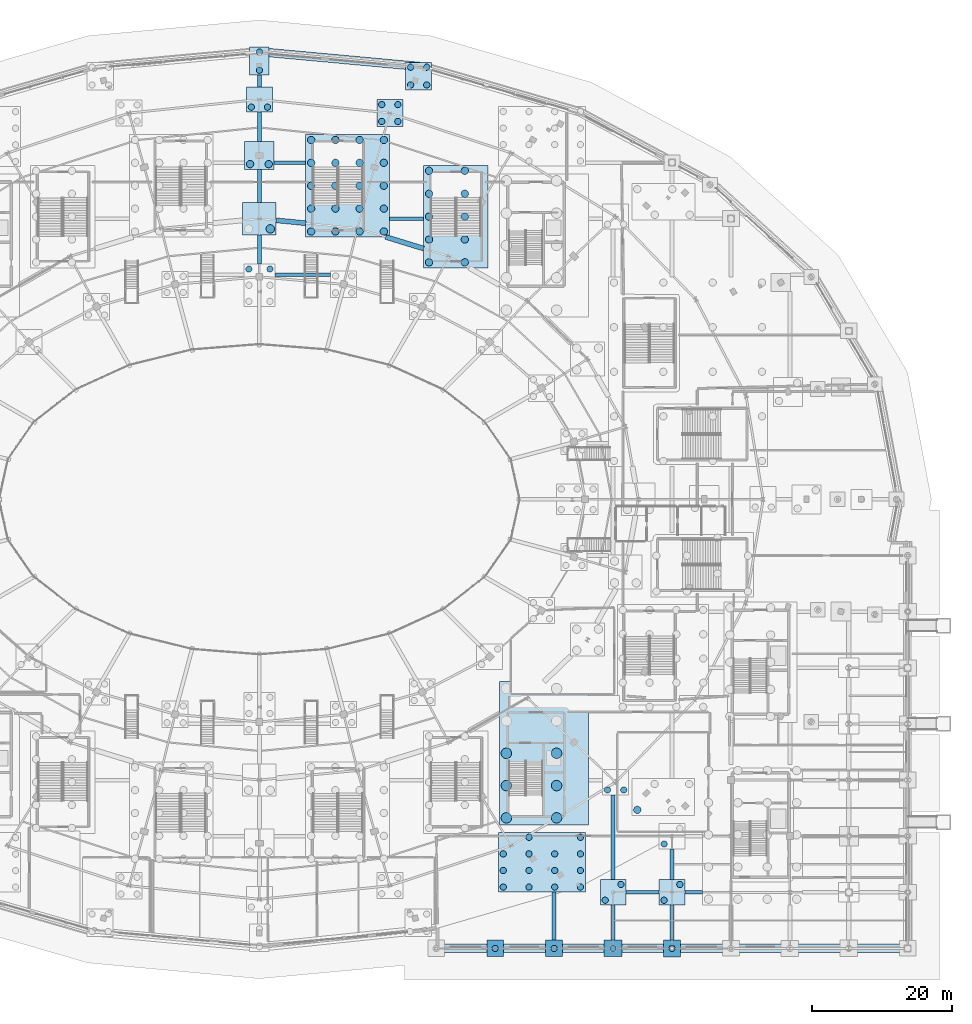
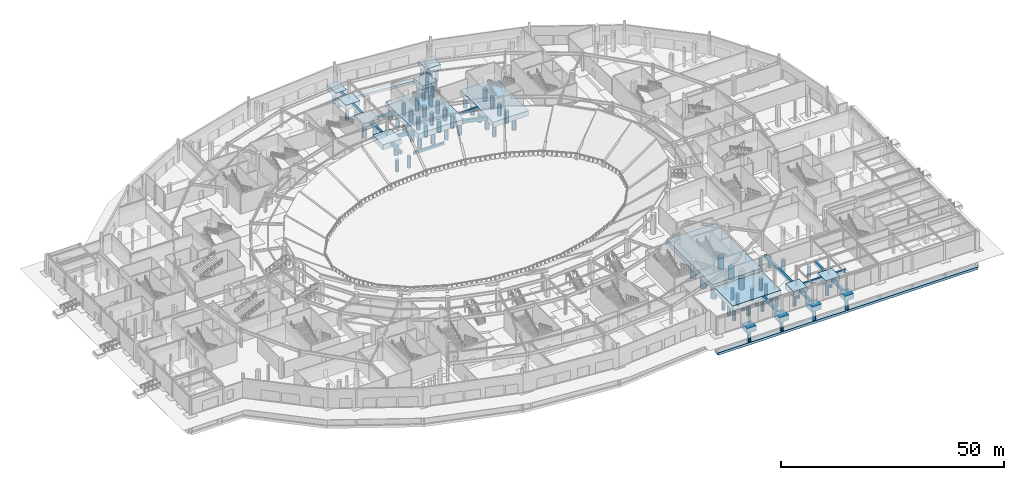
# One storey, part 5 of 93: 79 piles, 34 footings.
"""IFC4 building model written with IfcOpenShell, lengths in metres."""

from ifc_helpers import new_model, si_unit, direction, frame, origin, origin_2d, place, context, subcontext, project, spatial, polyline, rectangle, circle, outline, extrude, material, material_profile, profile_set, type_object, element, save


model = new_model("IFC4")

# Units and contexts
model_context = context("Model", 3, precision=1e-05, world=origin(), true_north=direction((0.0, 1.0)))
body_context = subcontext(model_context, "Body", "Model", "MODEL_VIEW")
ifc_project = project(units=[si_unit("LENGTHUNIT", "METRE"), si_unit("AREAUNIT", "SQUARE_METRE"), si_unit("VOLUMEUNIT", "CUBIC_METRE"), si_unit("PLANEANGLEUNIT", "RADIAN"), si_unit("MASSUNIT", "GRAM", prefix="KILO")], contexts=[model_context])

# Site, building, storey
site_placement = place(None, origin())
site = spatial("IfcSite", under=ifc_project, at=site_placement, CompositionType="ELEMENT")
building_placement = place(site_placement, origin())
building = spatial("IfcBuilding", under=site, at=building_placement, Name="Kalgoora Escarpment Arena", CompositionType="ELEMENT")
storey_placement = place(building_placement, origin())
storey = spatial("IfcBuildingStorey", under=building, at=storey_placement, Name="L00", CompositionType="ELEMENT", Elevation=0.0)

# Footings
ifc_material_1 = material(Name="Concrete N40 (fc' 40 MPa)", Category="concrete")
ifc_material_profile_1 = material_profile(ifc_material_1, rectangle(XDim=0.5, YDim=0.699951171875, at=origin_2d()))
ifc_profile_set_1 = profile_set([ifc_material_profile_1], Name="Concrete N40 (fc' 40 MPa)")
footing_type_1 = type_object("IfcFootingType", Name="FTG-GB700x500", PredefinedType="FOOTING_BEAM", material=ifc_profile_set_1)
footing_1_placement = place(storey_placement, frame((144.6201171875, 8.0, -0.35009765625), z_axis=(1.0, 0.0, 0.0), x_axis=(0.0, 1.0, 0.0)))
element("IfcFooting", 1, at=footing_1_placement, inside=storey, type_object=footing_type_1, Name="Ground tie beam GB-068", PredefinedType="FOOTING_BEAM", context=body_context, shape_type="SweptSolid", body=[
    extrude(rectangle(XDim=0.5, YDim=0.699951171875, at=origin_2d()), origin(), (0.0, 0.0, 1.0), 4.759765625),
])
footing_2_placement = place(storey_placement, frame((153.02001953125, 8.0, -0.35009765625), z_axis=(1.0, 0.0, 0.0), x_axis=(0.0, 1.0, 0.0)))
element("IfcFooting", 2, at=footing_2_placement, inside=storey, type_object=footing_type_1, Name="Ground tie beam GB-069", PredefinedType="FOOTING_BEAM", context=body_context, shape_type="SweptSolid", body=[
    extrude(rectangle(XDim=0.5, YDim=0.699951171875, at=origin_2d()), origin(), (0.0, 0.0, 1.0), 2.530029296875),
])
footing_3_placement = place(storey_placement, frame((94.60009765625, 96.0, -0.35009765625), z_axis=(1.0, 0.0, 0.0), x_axis=(0.0, 1.0, 0.0)))
element("IfcFooting", 3, at=footing_3_placement, inside=storey, type_object=footing_type_1, Name="Ground tie beam GB-112", PredefinedType="FOOTING_BEAM", context=body_context, shape_type="SweptSolid", body=[
    extrude(rectangle(XDim=0.5, YDim=0.699951171875, at=origin_2d()), origin(), (0.0, 0.0, 1.0), 7.9599609375),
])
footing_4_placement = place(storey_placement, frame((110.909912109375, 104.0, -0.35009765625), z_axis=(1.0, 0.0, 0.0), x_axis=(0.0, 1.0, 0.0)))
element("IfcFooting", 4, at=footing_4_placement, inside=storey, type_object=footing_type_1, Name="Ground tie beam GB-117", PredefinedType="FOOTING_BEAM", context=body_context, shape_type="SweptSolid", body=[
    extrude(rectangle(XDim=0.5, YDim=0.699951171875, at=origin_2d()), origin(), (0.0, 0.0, 1.0), 4.89013671875),
])
footing_5_placement = place(storey_placement, frame((94.5, 112.0, -0.35009765625), z_axis=(1.0, 0.0, 0.0), x_axis=(0.0, 1.0, 0.0)))
element("IfcFooting", 5, at=footing_5_placement, inside=storey, type_object=footing_type_1, Name="Ground tie beam GB-122", PredefinedType="FOOTING_BEAM", context=body_context, shape_type="SweptSolid", body=[
    extrude(rectangle(XDim=0.5, YDim=0.699951171875, at=origin_2d()), origin(), (0.0, 0.0, 1.0), 4.5),
])
ifc_material_2 = material(Name="Concrete N40 (fc' 40 MPa)", Category="concrete")
ifc_material_profile_2 = material_profile(ifc_material_2, rectangle(XDim=0.60009765625, YDim=0.800048828125, at=origin_2d()))
ifc_profile_set_2 = profile_set([ifc_material_profile_2], Name="Concrete N40 (fc' 40 MPa)")
footing_type_2 = type_object("IfcFootingType", Name="FTG-GB800x600", PredefinedType="FOOTING_BEAM", material=ifc_profile_set_2)
footing_6_placement = place(storey_placement, frame((92.39990234375, 97.52001953125, -0.39990234375), z_axis=(0.0, 1.0, 0.0), x_axis=(-1.0, 0.0, 0.0)))
element("IfcFooting", 6, at=footing_6_placement, inside=storey, type_object=footing_type_2, Name="Ground tie beam GB-040", PredefinedType="FOOTING_BEAM", context=body_context, shape_type="SweptSolid", body=[
    extrude(rectangle(XDim=0.60009765625, YDim=0.800048828125, at=origin_2d()), origin(), (0.0, 0.0, 1.0), 4.179931640625),
])
footing_7_placement = place(storey_placement, frame((92.39990234375, 106.300048828125, -0.39990234375), z_axis=(0.0, 1.0, 0.0), x_axis=(-1.0, 0.0, 0.0)))
element("IfcFooting", 7, at=footing_7_placement, inside=storey, type_object=footing_type_2, Name="Ground tie beam GB-041", PredefinedType="FOOTING_BEAM", context=body_context, shape_type="SweptSolid", body=[
    extrude(rectangle(XDim=0.60009765625, YDim=0.800048828125, at=origin_2d()), origin(), (0.0, 0.0, 1.0), 4.699951171875),
])
footing_8_placement = place(storey_placement, frame((92.39990234375, 115.0, -0.39990234375), z_axis=(0.0, 1.0, 0.0), x_axis=(-1.0, 0.0, 0.0)))
element("IfcFooting", 8, at=footing_8_placement, inside=storey, type_object=footing_type_2, Name="Ground tie beam GB-042", PredefinedType="FOOTING_BEAM", context=body_context, shape_type="SweptSolid", body=[
    extrude(rectangle(XDim=0.60009765625, YDim=0.800048828125, at=origin_2d()), origin(), (0.0, 0.0, 1.0), 4.199951171875),
])
footing_9_placement = place(storey_placement, frame((92.39990234375, 122.800048828125, -0.39990234375), z_axis=(0.0, 1.0, 0.0), x_axis=(-1.0, 0.0, 0.0)))
element("IfcFooting", 9, at=footing_9_placement, inside=storey, type_object=footing_type_2, Name="Ground tie beam GB-043", PredefinedType="FOOTING_BEAM", context=body_context, shape_type="SweptSolid", body=[
    extrude(rectangle(XDim=0.60009765625, YDim=0.800048828125, at=origin_2d()), origin(), (0.0, 0.0, 1.0), 1.669921875),
])
footing_10_placement = place(storey_placement, frame((134.39990234375, 1.179931640625, -0.39990234375), z_axis=(0.0, 1.0, 0.0), x_axis=(-1.0, 0.0, 0.0)))
element("IfcFooting", 10, at=footing_10_placement, inside=storey, type_object=footing_type_2, Name="Ground tie beam GB-044", PredefinedType="FOOTING_BEAM", context=body_context, shape_type="SweptSolid", body=[
    extrude(rectangle(XDim=0.60009765625, YDim=0.800048828125, at=origin_2d()), origin(), (0.0, 0.0, 1.0), 6.860107421875),
])
footing_11_placement = place(storey_placement, frame((142.800048828125, 1.179931640625, -0.39990234375), z_axis=(0.0, 1.0, 0.0), x_axis=(-1.0, 0.0, 0.0)))
element("IfcFooting", 11, at=footing_11_placement, inside=storey, type_object=footing_type_2, Name="Ground tie beam GB-045", PredefinedType="FOOTING_BEAM", context=body_context, shape_type="SweptSolid", body=[
    extrude(rectangle(XDim=0.60009765625, YDim=0.800048828125, at=origin_2d()), origin(), (0.0, 0.0, 1.0), 4.989990234375),
])
footing_12_placement = place(storey_placement, frame((142.800048828125, 9.820068359375, -0.39990234375), z_axis=(0.0, 1.0, 0.0), x_axis=(-1.0, 0.0, 0.0)))
element("IfcFooting", 12, at=footing_12_placement, inside=storey, type_object=footing_type_2, Name="Ground tie beam GB-046", PredefinedType="FOOTING_BEAM", context=body_context, shape_type="SweptSolid", body=[
    extrude(rectangle(XDim=0.60009765625, YDim=0.800048828125, at=origin_2d()), origin(), (0.0, 0.0, 1.0), 12.06982421875),
])
footing_13_placement = place(storey_placement, frame((151.199951171875, 1.219970703125, -0.39990234375), z_axis=(0.0, 1.0, 0.0), x_axis=(-1.0, 0.0, 0.0)))
element("IfcFooting", 13, at=footing_13_placement, inside=storey, type_object=footing_type_2, Name="Ground tie beam GB-049", PredefinedType="FOOTING_BEAM", context=body_context, shape_type="SweptSolid", body=[
    extrude(rectangle(XDim=0.60009765625, YDim=0.800048828125, at=origin_2d()), origin(), (0.0, 0.0, 1.0), 4.949951171875),
])
footing_14_placement = place(storey_placement, frame((151.199951171875, 9.820068359375, -0.39990234375), z_axis=(0.0, 1.0, 0.0), x_axis=(-1.0, 0.0, 0.0)))
element("IfcFooting", 14, at=footing_14_placement, inside=storey, type_object=footing_type_2, Name="Ground tie beam GB-050", PredefinedType="FOOTING_BEAM", context=body_context, shape_type="SweptSolid", body=[
    extrude(rectangle(XDim=0.60009765625, YDim=0.800048828125, at=origin_2d()), origin(), (0.0, 0.0, 1.0), 4.35986328125),
])
ifc_material_3 = material(Name="Concrete N40 (fc' 40 MPa)", Category="concrete")
ifc_material_profile_3 = material_profile(ifc_material_3, rectangle(XDim=0.699951171875, YDim=0.89990234375, at=origin_2d()))
ifc_profile_set_3 = profile_set([ifc_material_profile_3], Name="Concrete N40 (fc' 40 MPa)")
footing_type_3 = type_object("IfcFootingType", Name="FTG-GB900x700", PredefinedType="FOOTING_BEAM", material=ifc_profile_set_3)
footing_15_placement = place(storey_placement, frame((115.800048828125, 99.74560546875, -0.449951171875), z_axis=(-0.956022009942, 0.293294930926, 0.0), x_axis=(-0.293294930926, -0.956022009942, 0.0)))
element("IfcFooting", 15, at=footing_15_placement, inside=storey, type_object=footing_type_3, Name="Ground tie beam GB-005", PredefinedType="FOOTING_BEAM", context=body_context, shape_type="SweptSolid", body=[
    extrude(rectangle(XDim=0.699951171875, YDim=0.89990234375, at=origin_2d()), origin(), (0.0, 0.0, 1.0), 5.640380859375),
])
footing_16_placement = place(storey_placement, frame((99.0, 103.356201171875, -0.449951171875), z_axis=(-0.995276542908, 0.097080395222, 0.0), x_axis=(-0.097080395222, -0.995276542908, 0.0)))
element("IfcFooting", 16, at=footing_16_placement, inside=storey, type_object=footing_type_3, Name="Ground tie beam GB-006", PredefinedType="FOOTING_BEAM", context=body_context, shape_type="SweptSolid", body=[
    extrude(rectangle(XDim=0.699951171875, YDim=0.89990234375, at=origin_2d()), origin(), (0.0, 0.0, 1.0), 4.219970703125),
])
ifc_material_4 = material(Name="Concrete N40 (fc' 40 MPa)", Category="concrete")
footing_type_4 = type_object("IfcFootingType", Name="FTG-PC-1191x1460", PredefinedType="PILE_CAP", material=ifc_material_4)
footing_17_placement = place(storey_placement, frame((104.955078125, 108.699951171875, -1.39990234375), z_axis=(0.0, 0.0, 1.0), x_axis=(1.0, 0.0, 0.0)))
element("IfcFooting", 17, at=footing_17_placement, inside=storey, type_object=footing_type_4, Name="Pile cap FND-ST-ST11", PredefinedType="PILE_CAP", context=body_context, shape_type="SweptSolid", body=[
    extrude(rectangle(XDim=11.909912109375, YDim=14.60009765625, at=origin_2d()), origin(), (0.0, 0.0, 1.0), 1.39990234375),
])
ifc_material_5 = material(Name="Concrete N40 (fc' 40 MPa)", Category="concrete")
footing_type_5 = type_object("IfcFootingType", Name="FTG-PC-1240x850", PredefinedType="PILE_CAP", material=ifc_material_5)
footing_18_placement = place(storey_placement, frame((132.64990234375, 12.2900390625, -1.39990234375), z_axis=(0.0, 0.0, 1.0), x_axis=(1.0, 0.0, 0.0)))
element("IfcFooting", 18, at=footing_18_placement, inside=storey, type_object=footing_type_5, Name="Pile cap FND-COL-RCONC2-R21", PredefinedType="PILE_CAP", context=body_context, shape_type="SweptSolid", body=[
    extrude(rectangle(XDim=12.39990234375, YDim=8.5, at=origin_2d()), origin(), (0.0, 0.0, 1.0), 1.39990234375),
])
ifc_material_6 = material(Name="Concrete N40 (fc' 40 MPa)", Category="concrete")
footing_type_6 = type_object("IfcFootingType", Name="FTG-PC-1273x2042", PredefinedType="PILE_CAP", material=ifc_material_6)
footing_19_placement = place(storey_placement, frame((132.965087890625, 27.81005859375, -1.39990234375), z_axis=(0.0, 0.0, 1.0), x_axis=(1.0, 0.0, 0.0)))
element("IfcFooting", 19, at=footing_19_placement, inside=storey, type_object=footing_type_6, Name="Pile cap FND-RAFT-C6", PredefinedType="PILE_CAP", context=body_context, shape_type="SweptSolid", body=[
    extrude(rectangle(XDim=12.72998046875, YDim=20.419921875, at=origin_2d()), origin(), (0.0, 0.0, 1.0), 1.39990234375),
])
ifc_material_7 = material(Name="Concrete N40 (fc' 40 MPa)", Category="concrete")
footing_type_7 = type_object("IfcFootingType", Name="FTG-PC-238x236", PredefinedType="PILE_CAP", material=ifc_material_7)
footing_20_placement = place(storey_placement, frame((126.0, 0.0, -1.39990234375), z_axis=(0.0, 0.0, 1.0), x_axis=(1.0, 0.0, 0.0)))
element("IfcFooting", 20, at=footing_20_placement, inside=storey, type_object=footing_type_7, Name="Pile cap FND-COL-G16-A", PredefinedType="PILE_CAP", context=body_context, shape_type="SweptSolid", body=[
    extrude(rectangle(XDim=2.3798828125, YDim=2.360107421875, at=origin_2d()), origin(), (0.0, 0.0, 1.0), 1.39990234375),
])
ifc_material_8 = material(Name="Concrete N40 (fc' 40 MPa)", Category="concrete")
footing_type_8 = type_object("IfcFootingType", Name="FTG-PC-238x244", PredefinedType="PILE_CAP", material=ifc_material_8)
footing_21_placement = place(storey_placement, frame((151.199951171875, 0.0, -1.39990234375), z_axis=(0.0, 0.0, 1.0), x_axis=(1.0, 0.0, 0.0)))
element("IfcFooting", 21, at=footing_21_placement, inside=storey, type_object=footing_type_8, Name="Pile cap FND-COL-G19-A", PredefinedType="PILE_CAP", context=body_context, shape_type="SweptSolid", body=[
    extrude(rectangle(XDim=2.3798828125, YDim=2.43994140625, at=origin_2d()), origin(), (0.0, 0.0, 1.0), 1.39990234375),
])
ifc_material_9 = material(Name="Concrete N40 (fc' 40 MPa)", Category="concrete")
footing_type_9 = type_object("IfcFootingType", Name="FTG-PC-246x236", PredefinedType="PILE_CAP", material=ifc_material_9)
footing_22_placement = place(storey_placement, frame((134.39990234375, 0.0, -1.39990234375), z_axis=(0.0, 0.0, 1.0), x_axis=(1.0, 0.0, 0.0)))
element("IfcFooting", 22, at=footing_22_placement, inside=storey, type_object=footing_type_9, Name="Pile cap FND-COL-G17-A", PredefinedType="PILE_CAP", context=body_context, shape_type="SweptSolid", body=[
    extrude(rectangle(XDim=2.4599609375, YDim=2.360107421875, at=origin_2d()), origin(), (0.0, 0.0, 1.0), 1.39990234375),
])
ifc_material_10 = material(Name="Concrete N40 (fc' 40 MPa)", Category="concrete")
footing_type_10 = type_object("IfcFootingType", Name="FTG-PC-254x236", PredefinedType="PILE_CAP", material=ifc_material_10)
footing_23_placement = place(storey_placement, frame((142.800048828125, 0.0, -1.39990234375), z_axis=(0.0, 0.0, 1.0), x_axis=(1.0, 0.0, 0.0)))
element("IfcFooting", 23, at=footing_23_placement, inside=storey, type_object=footing_type_10, Name="Pile cap FND-COL-G18-A", PredefinedType="PILE_CAP", context=body_context, shape_type="SweptSolid", body=[
    extrude(rectangle(XDim=2.5400390625, YDim=2.360107421875, at=origin_2d()), origin(), (0.0, 0.0, 1.0), 1.39990234375),
])
ifc_material_11 = material(Name="Concrete N40 (fc' 40 MPa)", Category="concrete")
footing_type_11 = type_object("IfcFootingType", Name="FTG-PC-280x398", PredefinedType="PILE_CAP", material=ifc_material_11)
footing_24_placement = place(storey_placement, frame((92.39990234375, 126.4599609375, -1.39990234375), z_axis=(0.0, 0.0, 1.0), x_axis=(1.0, 0.0, 0.0)))
element("IfcFooting", 24, at=footing_24_placement, inside=storey, type_object=footing_type_11, Name="Pile cap FND-COL-RBASE2-R07", PredefinedType="PILE_CAP", context=body_context, shape_type="SweptSolid", body=[
    extrude(rectangle(XDim=2.800048828125, YDim=3.97998046875, at=origin_2d()), origin(), (0.0, 0.0, 1.0), 1.39990234375),
])
ifc_material_12 = material(Name="Concrete N40 (fc' 40 MPa)", Category="concrete")
footing_type_12 = type_object("IfcFootingType", Name="FTG-PC-364x365", PredefinedType="PILE_CAP", material=ifc_material_12)
for number, where, z_axis, x_axis, name in (
    (25, (142.800048828125, 7.9951171875, -1.39990234375), (0.0, 0.0, 1.0), (1.0, 0.0, 0.0), "Pile cap FND-COL-G18-B"),
    (26, (151.199951171875, 7.9951171875, -1.39990234375), (0.0, 0.0, 1.0), (1.0, 0.0, 0.0), "Pile cap FND-COL-G19-B"),
):
    element("IfcFooting", number, at=place(storey_placement, frame(where, z_axis=z_axis, x_axis=x_axis)), inside=storey, type_object=footing_type_12, Name=name, PredefinedType="PILE_CAP", context=body_context, shape_type="SweptSolid", body=[
        extrude(rectangle(XDim=3.639892578125, YDim=3.64990234375, at=origin_2d()), origin(), (0.0, 0.0, 1.0), 1.39990234375),
    ])
ifc_material_13 = material(Name="Concrete N40 (fc' 40 MPa)", Category="concrete")
footing_type_13 = type_object("IfcFootingType", Name="FTG-PC-370x360", PredefinedType="PILE_CAP", material=ifc_material_13)
footing_25_placement = place(storey_placement, frame((92.39990234375, 121.0, -1.39990234375), z_axis=(0.0, 0.0, 1.0), x_axis=(1.0, 0.0, 0.0)))
element("IfcFooting", 27, at=footing_25_placement, inside=storey, type_object=footing_type_13, Name="Pile cap FND-COL-RCONC2-R07", PredefinedType="PILE_CAP", context=body_context, shape_type="SweptSolid", body=[
    extrude(rectangle(XDim=3.699951171875, YDim=3.60009765625, at=origin_2d()), origin(), (0.0, 0.0, 1.0), 1.39990234375),
])
ifc_material_14 = material(Name="Concrete N40 (fc' 40 MPa)", Category="concrete")
footing_type_14 = type_object("IfcFootingType", Name="FTG-PC-370x380", PredefinedType="PILE_CAP", material=ifc_material_14)
footing_26_placement = place(storey_placement, frame((110.97998046875, 119.06005859375, -1.39990234375), z_axis=(0.0, 0.0, 1.0), x_axis=(1.0, 0.0, 0.0)))
element("IfcFooting", 28, at=footing_26_placement, inside=storey, type_object=footing_type_14, Name="Pile cap FND-COL-RCONC2-R06", PredefinedType="PILE_CAP", context=body_context, shape_type="SweptSolid", body=[
    extrude(rectangle(XDim=3.699951171875, YDim=3.800048828125, at=origin_2d()), origin(), (0.0, 0.0, 1.0), 1.39990234375),
])
ifc_material_15 = material(Name="Concrete N40 (fc' 40 MPa)", Category="concrete")
footing_type_15 = type_object("IfcFootingType", Name="FTG-PC-370x393", PredefinedType="PILE_CAP", material=ifc_material_15)
footing_27_placement = place(storey_placement, frame((115.10009765625, 124.324951171875, -1.39990234375), z_axis=(0.0, 0.0, 1.0), x_axis=(1.0, 0.0, 0.0)))
element("IfcFooting", 29, at=footing_27_placement, inside=storey, type_object=footing_type_15, Name="Pile cap FND-COL-RBASE2-R06", PredefinedType="PILE_CAP", context=body_context, shape_type="SweptSolid", body=[
    extrude(rectangle(XDim=3.699951171875, YDim=3.929931640625, at=origin_2d()), origin(), (0.0, 0.0, 1.0), 1.39990234375),
])
ifc_material_16 = material(Name="Concrete N40 (fc' 40 MPa)", Category="concrete")
footing_type_16 = type_object("IfcFootingType", Name="FTG-PC-420x400", PredefinedType="PILE_CAP", material=ifc_material_16)
footing_28_placement = place(storey_placement, frame((92.39990234375, 113.0, -1.39990234375), z_axis=(0.0, 0.0, 1.0), x_axis=(1.0, 0.0, 0.0)))
element("IfcFooting", 30, at=footing_28_placement, inside=storey, type_object=footing_type_16, Name="Pile cap FND-COL-RCONC1-R07", PredefinedType="PILE_CAP", context=body_context, shape_type="SweptSolid", body=[
    extrude(rectangle(XDim=4.199951171875, YDim=4.0, at=origin_2d()), origin(), (0.0, 0.0, 1.0), 1.39990234375),
])
ifc_material_17 = material(Name="Concrete N40 (fc' 40 MPa)", Category="concrete")
footing_type_17 = type_object("IfcFootingType", Name="FTG-PC-480x460", PredefinedType="PILE_CAP", material=ifc_material_17)
footing_29_placement = place(storey_placement, frame((92.39990234375, 104.0, -1.39990234375), z_axis=(0.0, 0.0, 1.0), x_axis=(1.0, 0.0, 0.0)))
element("IfcFooting", 31, at=footing_29_placement, inside=storey, type_object=footing_type_17, Name="Pile cap FND-COL-RMAIN-R07", PredefinedType="PILE_CAP", context=body_context, shape_type="SweptSolid", body=[
    extrude(rectangle(XDim=4.800048828125, YDim=4.60009765625, at=origin_2d()), origin(), (0.0, 0.0, 1.0), 1.39990234375),
])
ifc_material_18 = material(Name="Concrete N40 (fc' 40 MPa)", Category="concrete")
footing_type_18 = type_object("IfcFootingType", Name="FTG-PC-920x1460", PredefinedType="PILE_CAP", material=ifc_material_18)
footing_30_placement = place(storey_placement, frame((120.39990234375, 104.300048828125, -1.39990234375), z_axis=(0.0, 0.0, 1.0), x_axis=(1.0, 0.0, 0.0)))
element("IfcFooting", 32, at=footing_30_placement, inside=storey, type_object=footing_type_18, Name="Pile cap FND-ST-ST12", PredefinedType="PILE_CAP", context=body_context, shape_type="SweptSolid", body=[
    extrude(rectangle(XDim=9.199951171875, YDim=14.60009765625, at=origin_2d()), origin(), (0.0, 0.0, 1.0), 1.39990234375),
])
ifc_material_19 = material(Name="Concrete N40 (fc' 40 MPa)", Category="concrete")
footing_type_19 = type_object("IfcFootingType", Name="FTG-STRIP-1200", PredefinedType="STRIP_FOOTING", material=ifc_material_19)
footing_31_placement = place(storey_placement, frame((0.0, 0.0, -5.14990234375)))
element("IfcFooting", 33, at=footing_31_placement, inside=storey, type_object=footing_type_19, Name="Escarpment retaining strip footing SF-02", PredefinedType="STRIP_FOOTING", context=body_context, shape_type="SweptSolid", body=[
    extrude(outline(polyline([(184.800048828125, 0.60009765625), (117.60009765625, 0.60009765625), (117.60009765625, -0.60009765625), (184.800048828125, -0.60009765625), (184.800048828125, 0.60009765625)])), origin(), (0.0, 0.0, 1.0), 0.64990234375),
])
footing_32_placement = place(storey_placement, frame((0.0, 0.0, -5.14990234375)))
element("IfcFooting", 34, at=footing_32_placement, inside=storey, type_object=footing_type_19, Name="Escarpment retaining strip footing SF-15", PredefinedType="STRIP_FOOTING", context=body_context, shape_type="SweptSolid", body=[
    extrude(outline(polyline([(92.344970703125, 127.202392578125), (115.94921875, 125.028564453125), (116.059326171875, 126.2236328125), (92.455078125, 128.3974609375), (92.344970703125, 127.202392578125)])), origin(), (0.0, 0.0, 1.0), 0.64990234375),
])

# Piles
ifc_material_20 = material(Name="Concrete N50 (fc' 50 MPa)", Category="concrete")
ifc_material_profile_4 = material_profile(ifc_material_20, circle(Radius=0.52490234375, at=origin_2d()))
ifc_profile_set_4 = profile_set([ifc_material_profile_4], Name="Concrete N50 (fc' 50 MPa)")
pile_type_1 = type_object("IfcPileType", Name="PIL-PILE-1050", PredefinedType="BORED", material=ifc_profile_set_4)
for number, where, z_axis, x_axis, name in (
    (35, (99.77490234375, 102.175048828125, -1.300048828125), (0.0, 0.0, -1.0), (1.0, 0.0, 0.0), "Bored pile FND-ST-ST11 P01"),
    (36, (99.77490234375, 105.4375, -1.300048828125), (0.0, 0.0, -1.0), (1.0, 0.0, 0.0), "Bored pile FND-ST-ST11 P02"),
    (37, (99.77490234375, 108.699951171875, -1.300048828125), (0.0, 0.0, -1.0), (1.0, 0.0, 0.0), "Bored pile FND-ST-ST11 P03"),
    (38, (99.77490234375, 111.96240234375, -1.300048828125), (0.0, 0.0, -1.0), (1.0, 0.0, 0.0), "Bored pile FND-ST-ST11 P04"),
    (39, (99.77490234375, 115.22509765625, -1.300048828125), (0.0, 0.0, -1.0), (1.0, 0.0, 0.0), "Bored pile FND-ST-ST11 P05"),
    (40, (103.228271484375, 102.175048828125, -1.300048828125), (0.0, 0.0, -1.0), (1.0, 0.0, 0.0), "Bored pile FND-ST-ST11 P06"),
    (41, (103.228271484375, 105.4375, -1.300048828125), (0.0, 0.0, -1.0), (1.0, 0.0, 0.0), "Bored pile FND-ST-ST11 P07"),
    (42, (103.228271484375, 108.699951171875, -1.300048828125), (0.0, 0.0, -1.0), (1.0, 0.0, 0.0), "Bored pile FND-ST-ST11 P08"),
    (43, (103.228271484375, 111.96240234375, -1.300048828125), (0.0, 0.0, -1.0), (1.0, 0.0, 0.0), "Bored pile FND-ST-ST11 P09"),
    (44, (103.228271484375, 115.22509765625, -1.300048828125), (0.0, 0.0, -1.0), (1.0, 0.0, 0.0), "Bored pile FND-ST-ST11 P10"),
    (45, (106.681640625, 102.175048828125, -1.300048828125), (0.0, 0.0, -1.0), (1.0, 0.0, 0.0), "Bored pile FND-ST-ST11 P11"),
    (46, (106.681640625, 105.4375, -1.300048828125), (0.0, 0.0, -1.0), (1.0, 0.0, 0.0), "Bored pile FND-ST-ST11 P12"),
    (47, (106.681640625, 108.699951171875, -1.300048828125), (0.0, 0.0, -1.0), (1.0, 0.0, 0.0), "Bored pile FND-ST-ST11 P13"),
    (48, (106.681640625, 111.96240234375, -1.300048828125), (0.0, 0.0, -1.0), (1.0, 0.0, 0.0), "Bored pile FND-ST-ST11 P14"),
    (49, (106.681640625, 115.22509765625, -1.300048828125), (0.0, 0.0, -1.0), (1.0, 0.0, 0.0), "Bored pile FND-ST-ST11 P15"),
    (50, (110.135009765625, 102.175048828125, -1.300048828125), (0.0, 0.0, -1.0), (1.0, 0.0, 0.0), "Bored pile FND-ST-ST11 P16"),
    (51, (110.135009765625, 105.4375, -1.300048828125), (0.0, 0.0, -1.0), (1.0, 0.0, 0.0), "Bored pile FND-ST-ST11 P17"),
    (52, (110.135009765625, 108.699951171875, -1.300048828125), (0.0, 0.0, -1.0), (1.0, 0.0, 0.0), "Bored pile FND-ST-ST11 P18"),
    (53, (110.135009765625, 111.96240234375, -1.300048828125), (0.0, 0.0, -1.0), (1.0, 0.0, 0.0), "Bored pile FND-ST-ST11 P19"),
    (54, (110.135009765625, 115.22509765625, -1.300048828125), (0.0, 0.0, -1.0), (1.0, 0.0, 0.0), "Bored pile FND-ST-ST11 P20"),
    (55, (116.574951171875, 97.77490234375, -1.300048828125), (0.0, 0.0, -1.0), (1.0, 0.0, 0.0), "Bored pile FND-ST-ST12 P01"),
    (56, (116.574951171875, 101.03759765625, -1.300048828125), (0.0, 0.0, -1.0), (1.0, 0.0, 0.0), "Bored pile FND-ST-ST12 P02"),
    (57, (116.574951171875, 104.300048828125, -1.300048828125), (0.0, 0.0, -1.0), (1.0, 0.0, 0.0), "Bored pile FND-ST-ST12 P03"),
    (58, (116.574951171875, 107.5625, -1.300048828125), (0.0, 0.0, -1.0), (1.0, 0.0, 0.0), "Bored pile FND-ST-ST12 P04"),
    (59, (116.574951171875, 110.824951171875, -1.300048828125), (0.0, 0.0, -1.0), (1.0, 0.0, 0.0), "Bored pile FND-ST-ST12 P05"),
    (60, (121.675048828125, 97.77490234375, -1.300048828125), (0.0, 0.0, -1.0), (1.0, 0.0, 0.0), "Bored pile FND-ST-ST12 P06"),
    (61, (121.675048828125, 101.03759765625, -1.300048828125), (0.0, 0.0, -1.0), (1.0, 0.0, 0.0), "Bored pile FND-ST-ST12 P07"),
    (62, (121.675048828125, 104.300048828125, -1.300048828125), (0.0, 0.0, -1.0), (1.0, 0.0, 0.0), "Bored pile FND-ST-ST12 P08"),
    (63, (121.675048828125, 107.5625, -1.300048828125), (0.0, 0.0, -1.0), (1.0, 0.0, 0.0), "Bored pile FND-ST-ST12 P09"),
    (64, (121.675048828125, 110.824951171875, -1.300048828125), (0.0, 0.0, -1.0), (1.0, 0.0, 0.0), "Bored pile FND-ST-ST12 P10"),
    (65, (91.074951171875, 111.77490234375, -1.300048828125), (0.0, 0.0, -1.0), (1.0, 0.0, 0.0), "Bored pile FND-COL-RCONC1-R07 P01"),
    (66, (93.72509765625, 111.77490234375, -1.300048828125), (0.0, 0.0, -1.0), (1.0, 0.0, 0.0), "Bored pile FND-COL-RCONC1-R07 P02"),
    (67, (146.2548828125, 19.7451171875, -1.300048828125), (0.0, 0.0, -1.0), (1.0, 0.0, 0.0), "Bored pile FND-COL-RBASE1-R22 P01"),
):
    element("IfcPile", number, at=place(storey_placement, frame(where, z_axis=z_axis, x_axis=x_axis)), inside=storey, type_object=pile_type_1, Name=name, PredefinedType="BORED", context=body_context, shape_type="SweptSolid", body=[
        extrude(circle(Radius=0.52490234375, at=origin_2d()), origin(), (0.0, 0.0, 1.0), 3.199951171875),
    ])
ifc_material_21 = material(Name="Concrete N50 (fc' 50 MPa)", Category="concrete")
ifc_material_profile_5 = material_profile(ifc_material_21, circle(Radius=0.60009765625, at=origin_2d()))
ifc_profile_set_5 = profile_set([ifc_material_profile_5], Name="Concrete N50 (fc' 50 MPa)")
pile_type_2 = type_object("IfcPileType", Name="PIL-PILE-1200", PredefinedType="BORED", material=ifc_profile_set_5)
pile_placement = place(storey_placement, frame((93.949951171875, 102.550048828125, -1.300048828125), z_axis=(0.0, 0.0, -1.0), x_axis=(1.0, 0.0, 0.0)))
element("IfcPile", 68, at=pile_placement, inside=storey, type_object=pile_type_2, Name="Bored pile FND-COL-RMAIN-R07 P02", PredefinedType="BORED", context=body_context, shape_type="SweptSolid", body=[
    extrude(circle(Radius=0.60009765625, at=origin_2d()), origin(), (0.0, 0.0, 1.0), 3.199951171875),
])
ifc_material_22 = material(Name="Concrete N50 (fc' 50 MPa)", Category="concrete")
ifc_material_profile_6 = material_profile(ifc_material_22, circle(Radius=0.75, at=origin_2d()))
ifc_profile_set_6 = profile_set([ifc_material_profile_6], Name="Concrete N50 (fc' 50 MPa)")
pile_type_3 = type_object("IfcPileType", Name="PIL-PILE-1500", PredefinedType="BORED", material=ifc_profile_set_6)
for number, where, z_axis, x_axis, name in (
    (69, (127.60009765625, 18.60009765625, -1.300048828125), (0.0, 0.0, -1.0), (1.0, 0.0, 0.0), "Bored pile FND-RAFT-C6 P01"),
    (70, (127.60009765625, 23.205078125, -1.300048828125), (0.0, 0.0, -1.0), (1.0, 0.0, 0.0), "Bored pile FND-RAFT-C6 P02"),
    (71, (127.60009765625, 27.81005859375, -1.300048828125), (0.0, 0.0, -1.0), (1.0, 0.0, 0.0), "Bored pile FND-RAFT-C6 P03"),
    (72, (134.75341796875, 18.60009765625, -1.300048828125), (0.0, 0.0, -1.0), (1.0, 0.0, 0.0), "Bored pile FND-RAFT-C6 P06"),
    (73, (134.75341796875, 23.205078125, -1.300048828125), (0.0, 0.0, -1.0), (1.0, 0.0, 0.0), "Bored pile FND-RAFT-C6 P07"),
    (74, (134.75341796875, 27.81005859375, -1.300048828125), (0.0, 0.0, -1.0), (1.0, 0.0, 0.0), "Bored pile FND-RAFT-C6 P08"),
):
    element("IfcPile", number, at=place(storey_placement, frame(where, z_axis=z_axis, x_axis=x_axis)), inside=storey, type_object=pile_type_3, Name=name, PredefinedType="BORED", context=body_context, shape_type="SweptSolid", body=[
        extrude(circle(Radius=0.75, at=origin_2d()), origin(), (0.0, 0.0, 1.0), 3.199951171875),
    ])
ifc_material_23 = material(Name="Concrete N50 (fc' 50 MPa)", Category="concrete")
ifc_material_profile_7 = material_profile(ifc_material_23, circle(Radius=0.449951171875, at=origin_2d()))
ifc_profile_set_7 = profile_set([ifc_material_profile_7], Name="Concrete N50 (fc' 50 MPa)")
pile_type_4 = type_object("IfcPileType", Name="PIL-PILE-900", PredefinedType="BORED", material=ifc_profile_set_7)
for number, where, z_axis, x_axis, name in (
    (75, (90.89990234375, 96.820068359375, -1.300048828125), (0.0, 0.0, -1.0), (1.0, 0.0, 0.0), "Bored pile FND-COL-RMID-R07 P03"),
    (76, (93.89990234375, 96.820068359375, -1.300048828125), (0.0, 0.0, -1.0), (1.0, 0.0, 0.0), "Bored pile FND-COL-RMID-R07 P06"),
    (77, (109.830078125, 117.860107421875, -1.300048828125), (0.0, 0.0, -1.0), (1.0, 0.0, 0.0), "Bored pile FND-COL-RCONC2-R06 P01"),
    (78, (109.830078125, 120.260009765625, -1.300048828125), (0.0, 0.0, -1.0), (1.0, 0.0, 0.0), "Bored pile FND-COL-RCONC2-R06 P02"),
    (79, (112.1298828125, 117.860107421875, -1.300048828125), (0.0, 0.0, -1.0), (1.0, 0.0, 0.0), "Bored pile FND-COL-RCONC2-R06 P03"),
    (80, (112.1298828125, 120.260009765625, -1.300048828125), (0.0, 0.0, -1.0), (1.0, 0.0, 0.0), "Bored pile FND-COL-RCONC2-R06 P04"),
    (81, (91.25, 119.89990234375, -1.300048828125), (0.0, 0.0, -1.0), (1.0, 0.0, 0.0), "Bored pile FND-COL-RCONC2-R07 P01"),
    (82, (93.550048828125, 119.89990234375, -1.300048828125), (0.0, 0.0, -1.0), (1.0, 0.0, 0.0), "Bored pile FND-COL-RCONC2-R07 P02"),
    (83, (127.14990234375, 8.739990234375, -1.300048828125), (0.0, 0.0, -1.0), (1.0, 0.0, 0.0), "Bored pile FND-COL-RCONC2-R21 P01"),
    (84, (127.14990234375, 11.106689453125, -1.300048828125), (0.0, 0.0, -1.0), (1.0, 0.0, 0.0), "Bored pile FND-COL-RCONC2-R21 P02"),
    (85, (127.14990234375, 13.473388671875, -1.300048828125), (0.0, 0.0, -1.0), (1.0, 0.0, 0.0), "Bored pile FND-COL-RCONC2-R21 P03"),
    (86, (130.816650390625, 8.739990234375, -1.300048828125), (0.0, 0.0, -1.0), (1.0, 0.0, 0.0), "Bored pile FND-COL-RCONC2-R21 P04"),
    (87, (130.816650390625, 11.106689453125, -1.300048828125), (0.0, 0.0, -1.0), (1.0, 0.0, 0.0), "Bored pile FND-COL-RCONC2-R21 P05"),
    (88, (130.816650390625, 13.473388671875, -1.300048828125), (0.0, 0.0, -1.0), (1.0, 0.0, 0.0), "Bored pile FND-COL-RCONC2-R21 P06"),
    (89, (130.816650390625, 15.840087890625, -1.300048828125), (0.0, 0.0, -1.0), (1.0, 0.0, 0.0), "Bored pile FND-COL-RCONC2-R21 P07"),
    (90, (134.4833984375, 8.739990234375, -1.300048828125), (0.0, 0.0, -1.0), (1.0, 0.0, 0.0), "Bored pile FND-COL-RCONC2-R21 P08"),
    (91, (134.4833984375, 11.106689453125, -1.300048828125), (0.0, 0.0, -1.0), (1.0, 0.0, 0.0), "Bored pile FND-COL-RCONC2-R21 P09"),
    (92, (134.4833984375, 13.473388671875, -1.300048828125), (0.0, 0.0, -1.0), (1.0, 0.0, 0.0), "Bored pile FND-COL-RCONC2-R21 P10"),
    (93, (138.14990234375, 8.739990234375, -1.300048828125), (0.0, 0.0, -1.0), (1.0, 0.0, 0.0), "Bored pile FND-COL-RCONC2-R21 P11"),
    (94, (138.14990234375, 11.106689453125, -1.300048828125), (0.0, 0.0, -1.0), (1.0, 0.0, 0.0), "Bored pile FND-COL-RCONC2-R21 P12"),
    (95, (138.14990234375, 13.473388671875, -1.300048828125), (0.0, 0.0, -1.0), (1.0, 0.0, 0.0), "Bored pile FND-COL-RCONC2-R21 P13"),
    (96, (138.14990234375, 15.840087890625, -1.300048828125), (0.0, 0.0, -1.0), (1.0, 0.0, 0.0), "Bored pile FND-COL-RCONC2-R21 P14"),
    (97, (142.02001953125, 22.590087890625, -1.300048828125), (0.0, 0.0, -1.0), (1.0, 0.0, 0.0), "Bored pile FND-COL-RCONC2-R22 P01"),
    (98, (144.320068359375, 22.590087890625, -1.300048828125), (0.0, 0.0, -1.0), (1.0, 0.0, 0.0), "Bored pile FND-COL-RCONC2-R22 P02"),
    (99, (113.949951171875, 123.06005859375, -1.300048828125), (0.0, 0.0, -1.0), (1.0, 0.0, 0.0), "Bored pile FND-COL-RBASE2-R06 P01"),
    (100, (113.949951171875, 125.590087890625, -1.300048828125), (0.0, 0.0, -1.0), (1.0, 0.0, 0.0), "Bored pile FND-COL-RBASE2-R06 P02"),
    (101, (116.25, 123.06005859375, -1.300048828125), (0.0, 0.0, -1.0), (1.0, 0.0, 0.0), "Bored pile FND-COL-RBASE2-R06 P03"),
    (102, (116.25, 125.590087890625, -1.300048828125), (0.0, 0.0, -1.0), (1.0, 0.0, 0.0), "Bored pile FND-COL-RBASE2-R06 P04"),
    (103, (92.39990234375, 125.169921875, -1.300048828125), (0.0, 0.0, -1.0), (1.0, 0.0, 0.0), "Bored pile FND-COL-RBASE2-R07 P01"),
    (104, (92.39990234375, 127.75, -1.300048828125), (0.0, 0.0, -1.0), (1.0, 0.0, 0.0), "Bored pile FND-COL-RBASE2-R07 P02"),
    (105, (126.0, 0.0, -1.300048828125), (0.0, 0.0, -1.0), (1.0, 0.0, 0.0), "Bored pile FND-COL-G16-A P01"),
    (106, (134.39990234375, 0.0, -1.300048828125), (0.0, 0.0, -1.0), (1.0, 0.0, 0.0), "Bored pile FND-COL-G17-A P01"),
    (107, (142.800048828125, 0.0, -1.300048828125), (0.0, 0.0, -1.0), (1.0, 0.0, 0.0), "Bored pile FND-COL-G18-A P01"),
    (108, (141.679931640625, 6.8701171875, -1.300048828125), (0.0, 0.0, -1.0), (1.0, 0.0, 0.0), "Bored pile FND-COL-G18-B P01"),
    (109, (143.919921875, 9.1201171875, -1.300048828125), (0.0, 0.0, -1.0), (1.0, 0.0, 0.0), "Bored pile FND-COL-G18-B P02"),
    (110, (151.199951171875, 0.0, -1.300048828125), (0.0, 0.0, -1.0), (1.0, 0.0, 0.0), "Bored pile FND-COL-G19-A P01"),
    (111, (150.080078125, 6.8701171875, -1.300048828125), (0.0, 0.0, -1.0), (1.0, 0.0, 0.0), "Bored pile FND-COL-G19-B P01"),
    (112, (152.320068359375, 9.1201171875, -1.300048828125), (0.0, 0.0, -1.0), (1.0, 0.0, 0.0), "Bored pile FND-COL-G19-B P02"),
    (113, (150.080078125, 14.8798828125, -1.300048828125), (0.0, 0.0, -1.0), (1.0, 0.0, 0.0), "Bored pile FND-COL-G19-C P01"),
):
    element("IfcPile", number, at=place(storey_placement, frame(where, z_axis=z_axis, x_axis=x_axis)), inside=storey, type_object=pile_type_4, Name=name, PredefinedType="BORED", context=body_context, shape_type="SweptSolid", body=[
        extrude(circle(Radius=0.449951171875, at=origin_2d()), origin(), (0.0, 0.0, 1.0), 3.199951171875),
    ])

save(model, "model.ifc")
